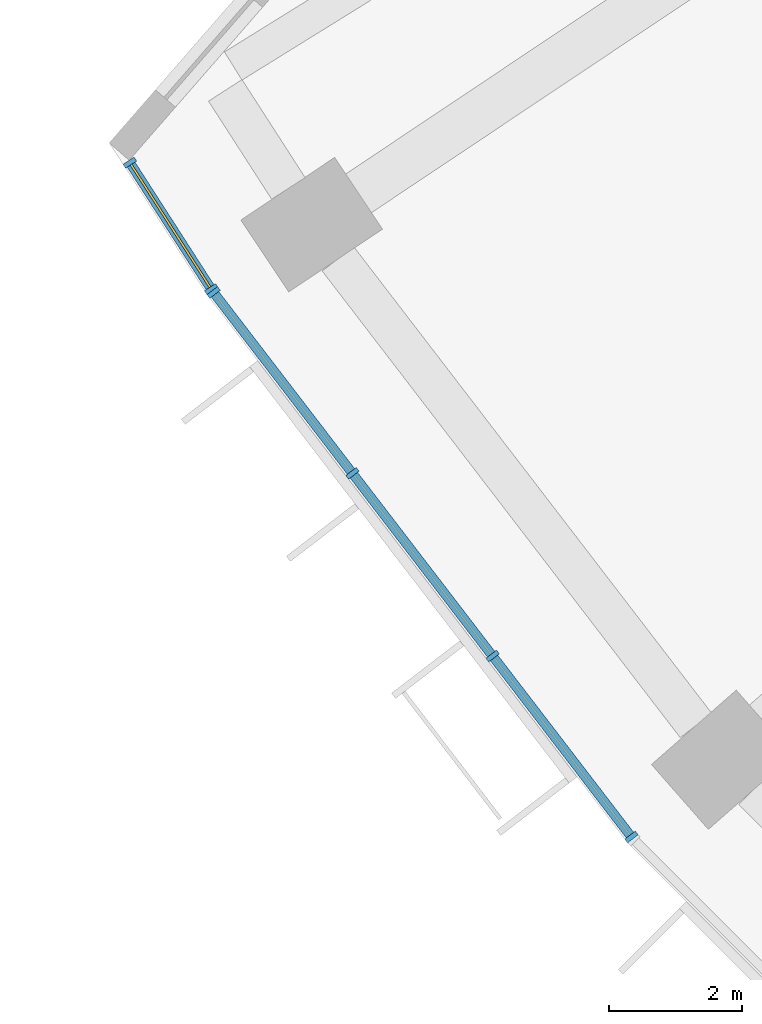
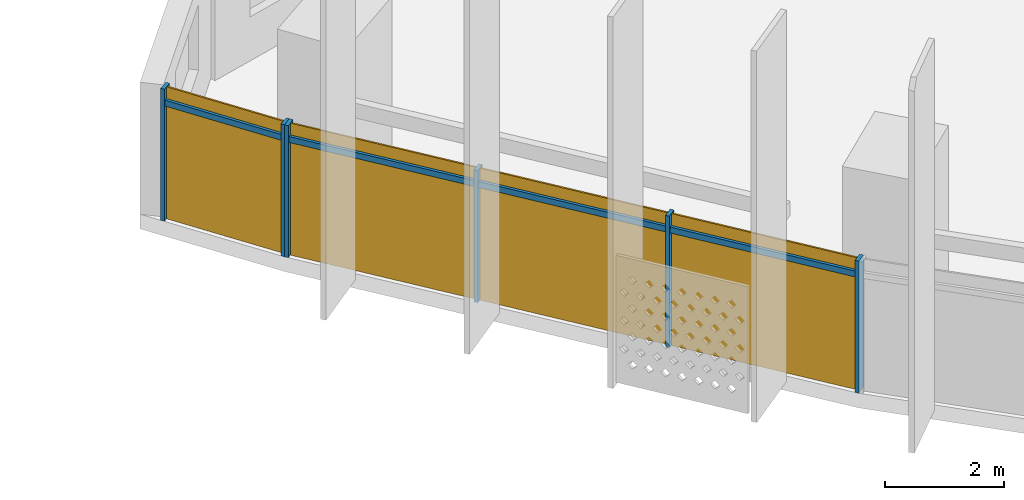
# One storey, part 21 of 32: 10 members, 2 curtain walls.
"""IFC4 building model written with IfcOpenShell, lengths in metres."""

from ifc_helpers import new_model, si_unit, direction, frame, origin, origin_2d, place, context, subcontext, project, spatial, rectangle, extrude, material, material_profile, profile_set, type_object, element, aggregate, save


model = new_model("IFC4")

# Units and contexts
model_context = context("Model", 3, precision=1e-05, world=origin(), true_north=direction((0.0, 1.0)))
body_context = subcontext(model_context, "Body", "Model", "MODEL_VIEW")
ifc_project = project(units=[si_unit("LENGTHUNIT", "METRE"), si_unit("AREAUNIT", "SQUARE_METRE"), si_unit("VOLUMEUNIT", "CUBIC_METRE"), si_unit("PLANEANGLEUNIT", "RADIAN"), si_unit("MASSUNIT", "GRAM", prefix="KILO")], contexts=[model_context])

# Member
ifc_material = material(Name="Aluminium 6063-T6 anodised", Category="aluminium")
ifc_material_profile_1 = material_profile(ifc_material, rectangle(XDim=0.199951171875, YDim=0.070068359375, at=origin_2d()))
ifc_profile_set_1 = profile_set([ifc_material_profile_1], Name="Aluminium 6063-T6 anodised")
member_type_1 = type_object("IfcMemberType", Name="Mullion 70 x 200 aluminium", PredefinedType="MULLION", material=ifc_profile_set_1)
site_placement = place(None, origin())
building_placement = place(site_placement, origin())
storey_placement = place(building_placement, frame((0.0, 0.0, 63.300048828125)))
member_1_placement = place(storey_placement, frame((-67.388671875, -42.26123046875, 0.0), z_axis=(0.0, 0.0, 1.0), x_axis=(0.840842221196, 0.5412802962, 0.0)))
member_1 = element("IfcMember", 1, at=member_1_placement, type_object=member_type_1, Name="e-cw1-L12-out00/M00", PredefinedType="MULLION", context=body_context, shape_type="SweptSolid", body=[
    extrude(rectangle(XDim=0.199951171875, YDim=0.070068359375, at=origin_2d()), origin(), (0.0, 0.0, 1.0), 2.699951171875),
])

member_2_placement = place(storey_placement, frame((-66.161376953125, -44.167724609375, 0.0), z_axis=(0.0, 0.0, 1.0), x_axis=(0.840842221196, 0.5412802962, 0.0)))
member_2 = element("IfcMember", 2, at=member_2_placement, type_object=member_type_1, Name="e-cw1-L12-out00/M01", PredefinedType="MULLION", context=body_context, shape_type="SweptSolid", body=[
    extrude(rectangle(XDim=0.199951171875, YDim=0.070068359375, at=origin_2d()), origin(), (0.0, 0.0, 1.0), 2.699951171875),
])

member_3_placement = place(storey_placement, frame((-66.1259765625, -44.218017578125, 0.0), z_axis=(0.0, 0.0, 1.0), x_axis=(0.793353340291, 0.608761429009, 0.0)))
member_3 = element("IfcMember", 3, at=member_3_placement, type_object=member_type_1, Name="e-cw1-L12-out01/M00", PredefinedType="MULLION", context=body_context, shape_type="SweptSolid", body=[
    extrude(rectangle(XDim=0.199951171875, YDim=0.070068359375, at=origin_2d()), origin(), (0.0, 0.0, 1.0), 2.699951171875),
])

member_4_placement = place(storey_placement, frame((-64.032958984375, -46.945556640625, 0.0), z_axis=(0.0, 0.0, 1.0), x_axis=(0.793353340291, 0.608761429009, 0.0)))
member_4 = element("IfcMember", 4, at=member_4_placement, type_object=member_type_1, Name="e-cw1-L12-out01/M01", PredefinedType="MULLION", context=body_context, shape_type="SweptSolid", body=[
    extrude(rectangle(XDim=0.199951171875, YDim=0.070068359375, at=origin_2d()), origin(), (0.0, 0.0, 1.0), 2.699951171875),
])

member_5_placement = place(storey_placement, frame((-61.9189453125, -49.70068359375, 0.0), z_axis=(0.0, 0.0, 1.0), x_axis=(0.793353340291, 0.608761429009, 0.0)))
member_5 = element("IfcMember", 5, at=member_5_placement, type_object=member_type_1, Name="e-cw1-L12-out01/M02", PredefinedType="MULLION", context=body_context, shape_type="SweptSolid", body=[
    extrude(rectangle(XDim=0.199951171875, YDim=0.070068359375, at=origin_2d()), origin(), (0.0, 0.0, 1.0), 2.699951171875),
])

member_6_placement = place(storey_placement, frame((-59.825927734375, -52.42822265625, 0.0), z_axis=(0.0, 0.0, 1.0), x_axis=(0.793353340291, 0.608761429009, 0.0)))
member_6 = element("IfcMember", 6, at=member_6_placement, type_object=member_type_1, Name="e-cw1-L12-out01/M03", PredefinedType="MULLION", context=body_context, shape_type="SweptSolid", body=[
    extrude(rectangle(XDim=0.199951171875, YDim=0.070068359375, at=origin_2d()), origin(), (0.0, 0.0, 1.0), 2.699951171875),
])

ifc_material_profile_2 = material_profile(ifc_material, rectangle(XDim=0.139892578125, YDim=0.1201171875, at=origin_2d()))
ifc_profile_set_2 = profile_set([ifc_material_profile_2], Name="Aluminium 6063-T6 anodised")
member_type_2 = type_object("IfcMemberType", Name="Transom 120 x 140 aluminium", PredefinedType="USERDEFINED", material=ifc_profile_set_2)
member_7_placement = place(storey_placement, frame((-67.36962890625, -42.29052734375, 2.39990234375), z_axis=(0.541217996061, -0.840882322766, 0.0), x_axis=(0.840882322766, 0.541217996061, 0.0)))
member_7 = element("IfcMember", 7, at=member_7_placement, type_object=member_type_2, Name="e-cw1-L12-out00/T00", ObjectType="TRANSOM", PredefinedType="USERDEFINED", context=body_context, shape_type="SweptSolid", body=[
    extrude(rectangle(XDim=0.139892578125, YDim=0.1201171875, at=origin_2d()), origin(), (0.0, 0.0, 1.0), 2.197265625),
])

member_8_placement = place(storey_placement, frame((-66.1044921875, -44.245849609375, 2.39990234375), z_axis=(0.608732839803, -0.793375276742, 0.0), x_axis=(0.793375276742, 0.608732839803, 0.0)))
member_8 = element("IfcMember", 8, at=member_8_placement, type_object=member_type_2, Name="e-cw1-L12-out01/T00", ObjectType="TRANSOM", PredefinedType="USERDEFINED", context=body_context, shape_type="SweptSolid", body=[
    extrude(rectangle(XDim=0.139892578125, YDim=0.1201171875, at=origin_2d()), origin(), (0.0, 0.0, 1.0), 3.36767578125),
])

member_9_placement = place(storey_placement, frame((-64.01171875, -46.973388671875, 2.39990234375), z_axis=(0.60875683052, -0.793356868815, 0.0), x_axis=(0.793356868815, 0.60875683052, 0.0)))
member_9 = element("IfcMember", 9, at=member_9_placement, type_object=member_type_2, Name="e-cw1-L12-out01/T01", ObjectType="TRANSOM", PredefinedType="USERDEFINED", context=body_context, shape_type="SweptSolid", body=[
    extrude(rectangle(XDim=0.139892578125, YDim=0.1201171875, at=origin_2d()), origin(), (0.0, 0.0, 1.0), 3.40283203125),
])

member_10_placement = place(storey_placement, frame((-61.8974609375, -49.728515625, 2.39990234375), z_axis=(0.608732839803, -0.793375276742, 0.0), x_axis=(0.793375276742, 0.608732839803, 0.0)))
member_10 = element("IfcMember", 10, at=member_10_placement, type_object=member_type_2, Name="e-cw1-L12-out01/T02", ObjectType="TRANSOM", PredefinedType="USERDEFINED", context=body_context, shape_type="SweptSolid", body=[
    extrude(rectangle(XDim=0.139892578125, YDim=0.1201171875, at=origin_2d()), origin(), (0.0, 0.0, 1.0), 3.36767578125),
])

# Site, building, storey
site = spatial("IfcSite", under=ifc_project, at=site_placement, CompositionType="ELEMENT")
building = spatial("IfcBuilding", under=site, at=building_placement, Name="Qamariyya Broadcast Tower", CompositionType="ELEMENT")
storey = spatial("IfcBuildingStorey", under=building, at=storey_placement, Name="L12", CompositionType="ELEMENT", Elevation=63.300048828125)

# Curtain wall
curtain_wall_type = type_object("IfcCurtainWallType", Name="Unitised curtain wall, anodised aluminium", PredefinedType="NOTDEFINED", material=ifc_material)
curtain_wall_1_placement = place(storey_placement, origin())
curtain_wall_1 = element("IfcCurtainWall", 11, at=curtain_wall_1_placement, inside=storey, type_object=curtain_wall_type, Name="e-cw1-L12-out00", PredefinedType="NOTDEFINED", context=body_context, shape_type="SweptSolid", body=[
    extrude(rectangle(XDim=2.197265625, YDim=0.031982421875, at=origin_2d()), frame((-66.77490234375, -43.21435546875, 0.0), x_axis=(0.541200994637, -0.840893265167, 0.0)), (0.0, 0.0, 1.0), 2.340087890625),
    extrude(rectangle(XDim=2.197265625, YDim=0.031982421875, at=origin_2d()), frame((-66.77490234375, -43.21435546875, 2.4599609375), x_axis=(0.541200994637, -0.840893265167, 0.0)), (0.0, 0.0, 1.0), 0.239990234375),
])

aggregate(curtain_wall_1, [member_1, member_2, member_7])

curtain_wall_2_placement = place(storey_placement, origin())
curtain_wall_2 = element("IfcCurtainWall", 12, at=curtain_wall_2_placement, inside=storey, type_object=curtain_wall_type, Name="e-cw1-L12-out01", PredefinedType="NOTDEFINED", context=body_context, shape_type="SweptSolid", body=[
    extrude(rectangle(XDim=3.367919921875, YDim=0.031982421875, at=origin_2d()), frame((-65.07958984375, -45.581787109375, 0.0), x_axis=(0.608755679475, -0.79335775203, 0.0)), (0.0, 0.0, 1.0), 2.340087890625),
    extrude(rectangle(XDim=3.367919921875, YDim=0.031982421875, at=origin_2d()), frame((-65.07958984375, -45.581787109375, 2.4599609375), x_axis=(0.608755679475, -0.79335775203, 0.0)), (0.0, 0.0, 1.0), 0.239990234375),
    extrude(rectangle(XDim=3.40283203125, YDim=0.031982421875, at=origin_2d()), frame((-62.97607421875, -48.3232421875, 0.0), x_axis=(0.608755679475, -0.79335775203, 0.0)), (0.0, 0.0, 1.0), 2.340087890625),
    extrude(rectangle(XDim=3.40283203125, YDim=0.031982421875, at=origin_2d()), frame((-62.97607421875, -48.3232421875, 2.4599609375), x_axis=(0.608755679475, -0.79335775203, 0.0)), (0.0, 0.0, 1.0), 0.239990234375),
    extrude(rectangle(XDim=3.367919921875, YDim=0.031982421875, at=origin_2d()), frame((-60.872314453125, -51.064453125, 0.0), x_axis=(0.608755679475, -0.79335775203, 0.0)), (0.0, 0.0, 1.0), 2.340087890625),
    extrude(rectangle(XDim=3.367919921875, YDim=0.031982421875, at=origin_2d()), frame((-60.872314453125, -51.064453125, 2.4599609375), x_axis=(0.608755679475, -0.79335775203, 0.0)), (0.0, 0.0, 1.0), 0.239990234375),
])

aggregate(curtain_wall_2, [member_3, member_4, member_5, member_6, member_8, member_9, member_10])

save(model, "model.ifc")
